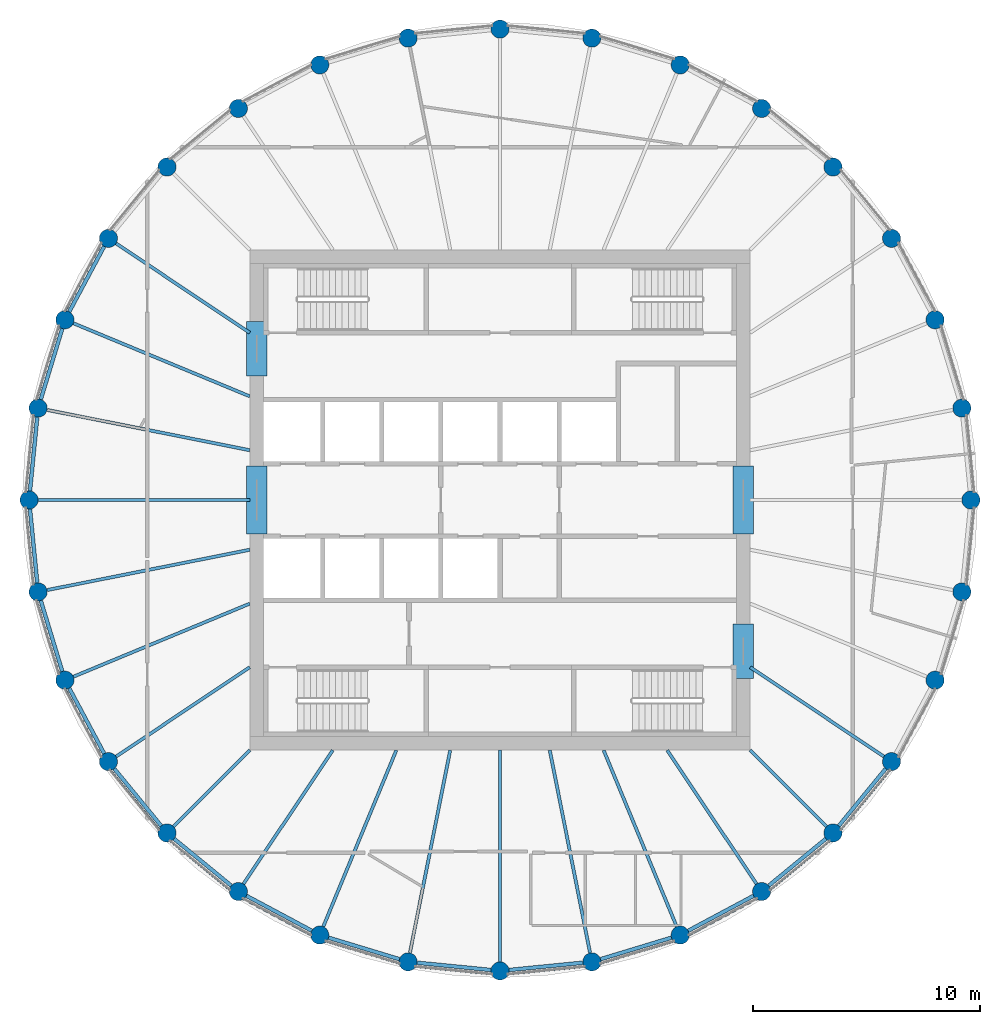
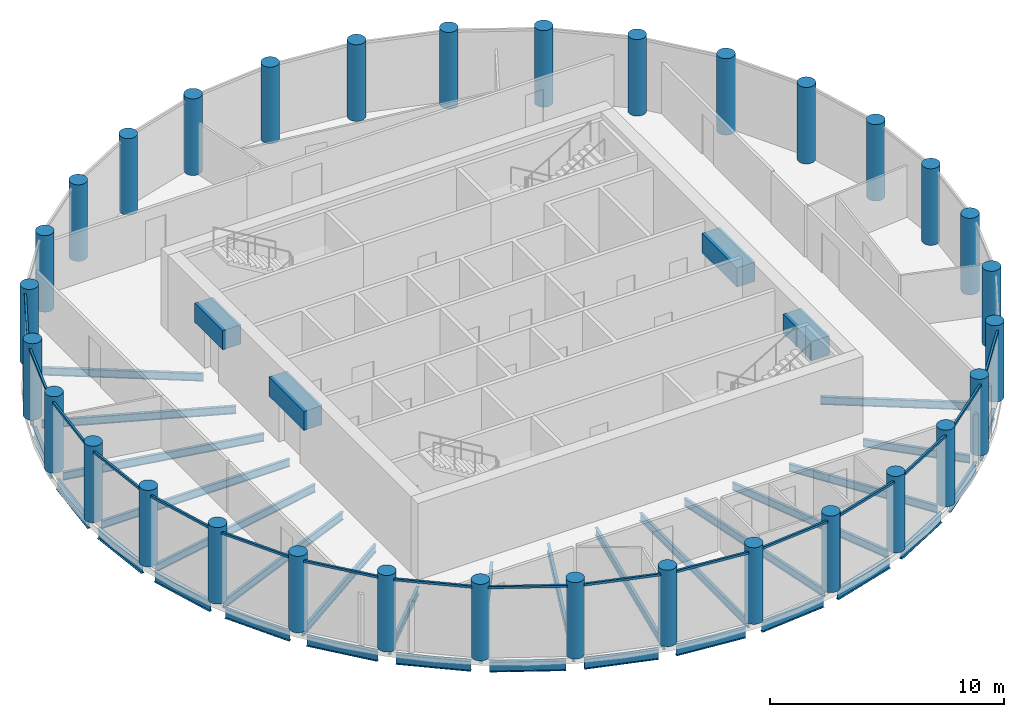
# One storey, part 1 of 7: 37 beams, 32 columns, 16 members, 16 elements without a shape of their own.
"""IFC4 building model written with IfcOpenShell, lengths in metres."""

import ifcopenshell
import ifcopenshell.guid

model = None  # the IFC model being written
_history = None  # IfcOwnerHistory: only IFC2X3 demands one
_inside = {}  # id of a spatial element -> (the spatial element, [elements in it])
_under = {}  # id of a project, library or spatial element -> (it, [spatial elements below it])
_declared = {}  # id of a project -> (the project, [libraries it declares])
_typed = {}  # id of a type object -> (the type object, [elements of that type])
_made_of = {}  # id of a material, layer set ... -> (it, [elements and type objects made of it])


def new_model(schema):
    """Start an empty IFC model of exactly this schema.

    Asked for "IFC4X3", IfcOpenShell would pick the latest addendum, in which some entities
    have other attributes; the version numbers below select the first issue.
    IFC2X3 requires an IfcOwnerHistory on every rooted entity: one is made here for all.
    """
    global model, _history
    if schema == "IFC4X3":
        model = ifcopenshell.file(schema_version=(4, 3, 0, 0))
    else:
        model = ifcopenshell.file(schema=schema)
    _inside.clear()
    _under.clear()
    _declared.clear()
    _typed.clear()
    _made_of.clear()
    _history = None
    if model.schema == "IFC2X3":
        org = make("IfcOrganization", Name="unknown")
        user = make(
            "IfcPersonAndOrganization",
            ThePerson=make("IfcPerson", FamilyName="unknown"),
            TheOrganization=org,
        )
        app = make(
            "IfcApplication",
            ApplicationDeveloper=org,
            Version="unknown",
            ApplicationFullName="unknown",
            ApplicationIdentifier="unknown",
        )
        _history = make(
            "IfcOwnerHistory",
            OwningUser=user,
            OwningApplication=app,
            ChangeAction="ADDED",
            CreationDate=0,
        )
    return model


def make(cls, **values):
    """One entity of the class cls with the attributes given. An attribute that is None is left unset."""
    return model.create_entity(
        cls, **{name: value for name, value in values.items() if value is not None}
    )


def rooted(cls, **values):
    """An entity with a GlobalId (a new one), such as an element, a storey or a relation."""
    return make(cls, GlobalId=ifcopenshell.guid.new(), OwnerHistory=_history, **values)


def si_unit(unit_type, name, prefix=None):
    """IfcSIUnit, for example si_unit("LENGTHUNIT", "METRE", prefix="MILLI")."""
    return make("IfcSIUnit", UnitType=unit_type, Prefix=prefix, Name=name)


def assignment(units):
    """IfcUnitAssignment: the units of a project."""
    return None if units is None else make("IfcUnitAssignment", Units=units)


def point(xyz):
    """IfcCartesianPoint."""
    return None if xyz is None else make("IfcCartesianPoint", Coordinates=xyz)


def direction(xyz):
    """IfcDirection."""
    return None if xyz is None else make("IfcDirection", DirectionRatios=xyz)


def frame(location, z_axis=None, x_axis=None):
    """IfcAxis2Placement3D, a coordinate frame: its origin and axes. An axis left out is left unset."""
    return make(
        "IfcAxis2Placement3D",
        Location=point(location),
        Axis=direction(z_axis),
        RefDirection=direction(x_axis),
    )


def frame_2d(location, x_axis=None):
    """IfcAxis2Placement2D, a coordinate frame in the plane: its origin and x axis."""
    return make(
        "IfcAxis2Placement2D", Location=point(location), RefDirection=direction(x_axis)
    )


def origin():
    """The frame at (0, 0, 0) with its axes left unset."""
    return frame((0.0, 0.0, 0.0))


def origin_2d():
    """The frame at (0, 0) in the plane with its x axis left unset."""
    return frame_2d((0.0, 0.0))


def place(relative_to, where):
    """IfcLocalPlacement: puts the frame where relative to a parent placement (None: the world)."""
    return make(
        "IfcLocalPlacement", PlacementRelTo=relative_to, RelativePlacement=where
    )


def context(
    kind, dimensions, precision=None, world=None, true_north=None, identifier=None
):
    """IfcGeometricRepresentationContext, for example the 3D "Model" context."""
    return make(
        "IfcGeometricRepresentationContext",
        ContextIdentifier=identifier,
        ContextType=kind,
        CoordinateSpaceDimension=dimensions,
        Precision=precision,
        WorldCoordinateSystem=world,
        TrueNorth=true_north,
    )


def subcontext(parent, identifier, kind, view, scale=None):
    """IfcGeometricRepresentationSubContext, for example "Body" below "Model"."""
    return make(
        "IfcGeometricRepresentationSubContext",
        ContextIdentifier=identifier,
        ContextType=kind,
        ParentContext=parent,
        TargetScale=scale,
        TargetView=view,
    )


def project(units=None, contexts=None):
    """IfcProject with its units and contexts."""
    return rooted(
        "IfcProject",
        Name="project",
        RepresentationContexts=contexts,
        UnitsInContext=assignment(units),
    )


def spatial(cls, under=None, at=None, **own):
    """A site, building, storey or space (cls), placed at a placement, below another one or the project."""
    s = rooted(cls, ObjectPlacement=at, **own)
    if under is not None:
        _under.setdefault(under.id(), (under, []))[1].append(s)
    return s


def profile(cls, at=None, kind="AREA", **sizes):
    """A parametric profile (cls). Its sizes go by their IFC names, for example OverallWidth=200.0."""
    return make(cls, ProfileType=kind, Position=at, **sizes)


def rectangle(**sizes):
    """IfcRectangleProfileDef."""
    return profile("IfcRectangleProfileDef", **sizes)


def circle(**sizes):
    """IfcCircleProfileDef."""
    return profile("IfcCircleProfileDef", **sizes)


def i_section(**sizes):
    """IfcIShapeProfileDef."""
    return profile("IfcIShapeProfileDef", **sizes)


def extrude(swept, where, along, depth):
    """IfcExtrudedAreaSolid: the profile swept, set in the frame where, extruded along a direction by depth."""
    return make(
        "IfcExtrudedAreaSolid",
        SweptArea=swept,
        Position=where,
        ExtrudedDirection=direction(along),
        Depth=depth,
    )


def shape(context_of_items, identifier, shape_type, items):
    """IfcShapeRepresentation: the items that make up one representation, for example the "Body"."""
    return make(
        "IfcShapeRepresentation",
        ContextOfItems=context_of_items,
        RepresentationIdentifier=identifier,
        RepresentationType=shape_type,
        Items=items,
    )


def material(Name=None, Category=None):
    """IfcMaterial."""
    return make("IfcMaterial", Name=Name, Category=Category)


def material_profile(
    of_material, cross_section, Name=None, Category=None, Priority=None
):
    """IfcMaterialProfile: a cross section and its material."""
    return make(
        "IfcMaterialProfile",
        Name=Name,
        Material=of_material,
        Profile=cross_section,
        Priority=Priority,
        Category=Category,
    )


def profile_set(profiles, Name=None, composite=None):
    """IfcMaterialProfileSet."""
    return make(
        "IfcMaterialProfileSet",
        Name=Name,
        MaterialProfiles=profiles,
        CompositeProfile=composite,
    )


def made_of(thing, what):
    """Note that an element or type object is made of a material, layer set ...; save() writes the relation."""
    if what is not None:
        _made_of.setdefault(what.id(), (what, []))[1].append(thing)
    return thing


def type_object(cls, material=None, **own):
    """A type object (cls), such as IfcWallType, which elements share."""
    return made_of(rooted(cls, **own), material)


def element(
    cls,
    number,
    at=None,
    inside=None,
    cuts=None,
    type_object=None,
    material=None,
    context=None,
    identifier="Body",
    shape_type=None,
    held_by="IfcProductDefinitionShape",
    body=None,
    shapes=None,
    **own,
):
    """One element of the class cls, such as IfcWall. Its Tag is "e" and its number.

    at: its placement. inside: the storey or other place that contains it. cuts: it is an
    opening in that element (IfcRelVoidsElement). A single representation is given by context,
    identifier, shape_type and body (its items); several are given by shapes. held_by: the class
    of the entity that holds the representations. save() writes the other relations.
    """
    e = rooted(cls, Tag="e%d" % number, ObjectPlacement=at, **own)
    if body is not None:
        shapes = [shape(context, identifier, shape_type, body)]
    if shapes is not None:
        e.Representation = make(held_by, Representations=shapes)
    if inside is not None:
        _inside.setdefault(inside.id(), (inside, []))[1].append(e)
    if cuts is not None:
        rooted(
            "IfcRelVoidsElement", RelatingBuildingElement=cuts, RelatedOpeningElement=e
        )
    if type_object is not None:
        _typed.setdefault(type_object.id(), (type_object, []))[1].append(e)
    return made_of(e, material)


def aggregate(whole, parts):
    """IfcRelAggregates: a whole, such as a stair, and the parts it consists of."""
    return rooted("IfcRelAggregates", RelatingObject=whole, RelatedObjects=parts)


def save(model, path):
    """Write the relations noted so far, then the file.

    IfcRelAggregates (storeys below a building ...), IfcRelContainedInSpatialStructure (elements
    in a storey), IfcRelDefinesByType, IfcRelAssociatesMaterial and IfcRelDeclares: one each for
    every whole, place, type object, material and project.
    """
    for whole, parts in _under.values():
        aggregate(whole, parts)
    for where, things in _inside.values():
        rooted(
            "IfcRelContainedInSpatialStructure",
            RelatedElements=things,
            RelatingStructure=where,
        )
    for kind, things in _typed.values():
        rooted("IfcRelDefinesByType", RelatedObjects=things, RelatingType=kind)
    for what, things in _made_of.values():
        rooted("IfcRelAssociatesMaterial", RelatedObjects=things, RelatingMaterial=what)
    for by, libraries in _declared.values():
        rooted("IfcRelDeclares", RelatingContext=by, RelatedDefinitions=libraries)
    model.write(path)


model = new_model("IFC4")

# Units and contexts
model_context = context("Model", 3, precision=1e-05, world=origin(), true_north=direction((0.0, 1.0)))
body_context = subcontext(model_context, "Body", "Model", "MODEL_VIEW")
ifc_project = project(units=[si_unit("LENGTHUNIT", "METRE"), si_unit("AREAUNIT", "SQUARE_METRE"), si_unit("VOLUMEUNIT", "CUBIC_METRE"), si_unit("PLANEANGLEUNIT", "RADIAN"), si_unit("MASSUNIT", "GRAM", prefix="KILO")], contexts=[model_context])

# Site, building, storey
site_placement = place(None, origin())
site = spatial("IfcSite", under=ifc_project, at=site_placement, CompositionType="ELEMENT")
building_placement = place(site_placement, origin())
building = spatial("IfcBuilding", under=site, at=building_placement, Name="Corvane Civic Tower", CompositionType="ELEMENT")
storey_placement = place(building_placement, frame((0.0, 0.0, 336.5)))
storey = spatial("IfcBuildingStorey", under=building, at=storey_placement, Name="L80", CompositionType="ELEMENT", Elevation=336.5)

# Columns
ifc_material_1 = material(Name="Concrete C60/75", Category="concrete")
ifc_material_profile_1 = material_profile(ifc_material_1, circle(Radius=0.39990234375, at=origin_2d()), Name="COLUMN 800")
ifc_profile_set_1 = profile_set([ifc_material_profile_1], Name="Concrete C60/75")
column_type = type_object("IfcColumnType", Name="RC COLUMN COLUMN 800", PredefinedType="COLUMN", material=ifc_profile_set_1)
for number, where, z_axis, x_axis, name in (
    (1, (0.0, 20.699951171875, 0.0), (0.0, 0.0, 1.0), (1.0, 0.0, 0.0), "COL-L80-F01"),
    (2, (4.038330078125, 20.30224609375, 0.0), (0.0, 0.0, 1.0), (1.0, 0.0, 0.0), "COL-L80-F02"),
    (3, (7.921630859375, 19.124267578125, 0.0), (0.0, 0.0, 1.0), (1.0, 0.0, 0.0), "COL-L80-F03"),
    (4, (11.500244140625, 17.21142578125, 0.0), (0.0, 0.0, 1.0), (1.0, 0.0, 0.0), "COL-L80-F04"),
    (5, (14.63720703125, 14.63720703125, 0.0), (0.0, 0.0, 1.0), (1.0, 0.0, 0.0), "COL-L80-F05"),
    (6, (17.21142578125, 11.500244140625, 0.0), (0.0, 0.0, 1.0), (1.0, 0.0, 0.0), "COL-L80-F06"),
    (7, (19.124267578125, 7.921630859375, 0.0), (0.0, 0.0, 1.0), (1.0, 0.0, 0.0), "COL-L80-F07"),
    (8, (20.30224609375, 4.038330078125, 0.0), (0.0, 0.0, 1.0), (1.0, 0.0, 0.0), "COL-L80-F08"),
    (9, (20.699951171875, 0.0, 0.0), (0.0, 0.0, 1.0), (1.0, 0.0, 0.0), "COL-L80-F09"),
    (10, (20.30224609375, -4.038330078125, 0.0), (0.0, 0.0, 1.0), (1.0, 0.0, 0.0), "COL-L80-F10"),
    (11, (19.124267578125, -7.921630859375, 0.0), (0.0, 0.0, 1.0), (1.0, 0.0, 0.0), "COL-L80-F11"),
    (12, (17.21142578125, -11.500244140625, 0.0), (0.0, 0.0, 1.0), (1.0, 0.0, 0.0), "COL-L80-F12"),
    (13, (14.63720703125, -14.63720703125, 0.0), (0.0, 0.0, 1.0), (1.0, 0.0, 0.0), "COL-L80-F13"),
    (14, (11.500244140625, -17.21142578125, 0.0), (0.0, 0.0, 1.0), (1.0, 0.0, 0.0), "COL-L80-F14"),
    (15, (7.921630859375, -19.124267578125, 0.0), (0.0, 0.0, 1.0), (1.0, 0.0, 0.0), "COL-L80-F15"),
    (16, (4.038330078125, -20.30224609375, 0.0), (0.0, 0.0, 1.0), (1.0, 0.0, 0.0), "COL-L80-F16"),
    (17, (0.0, -20.699951171875, 0.0), (0.0, 0.0, 1.0), (1.0, 0.0, 0.0), "COL-L80-F17"),
    (18, (-4.038330078125, -20.30224609375, 0.0), (0.0, 0.0, 1.0), (1.0, 0.0, 0.0), "COL-L80-F18"),
    (19, (-7.921630859375, -19.124267578125, 0.0), (0.0, 0.0, 1.0), (1.0, 0.0, 0.0), "COL-L80-F19"),
    (20, (-11.500244140625, -17.21142578125, 0.0), (0.0, 0.0, 1.0), (1.0, 0.0, 0.0), "COL-L80-F20"),
    (21, (-14.63720703125, -14.63720703125, 0.0), (0.0, 0.0, 1.0), (1.0, 0.0, 0.0), "COL-L80-F21"),
    (22, (-17.21142578125, -11.500244140625, 0.0), (0.0, 0.0, 1.0), (1.0, 0.0, 0.0), "COL-L80-F22"),
    (23, (-19.124267578125, -7.921630859375, 0.0), (0.0, 0.0, 1.0), (1.0, 0.0, 0.0), "COL-L80-F23"),
    (24, (-20.30224609375, -4.038330078125, 0.0), (0.0, 0.0, 1.0), (1.0, 0.0, 0.0), "COL-L80-F24"),
    (25, (-20.699951171875, 0.0, 0.0), (0.0, 0.0, 1.0), (1.0, 0.0, 0.0), "COL-L80-F25"),
    (26, (-20.30224609375, 4.038330078125, 0.0), (0.0, 0.0, 1.0), (1.0, 0.0, 0.0), "COL-L80-F26"),
    (27, (-19.124267578125, 7.921630859375, 0.0), (0.0, 0.0, 1.0), (1.0, 0.0, 0.0), "COL-L80-F27"),
    (28, (-17.21142578125, 11.500244140625, 0.0), (0.0, 0.0, 1.0), (1.0, 0.0, 0.0), "COL-L80-F28"),
    (29, (-14.63720703125, 14.63720703125, 0.0), (0.0, 0.0, 1.0), (1.0, 0.0, 0.0), "COL-L80-F29"),
    (30, (-11.500244140625, 17.21142578125, 0.0), (0.0, 0.0, 1.0), (1.0, 0.0, 0.0), "COL-L80-F30"),
    (31, (-7.921630859375, 19.124267578125, 0.0), (0.0, 0.0, 1.0), (1.0, 0.0, 0.0), "COL-L80-F31"),
    (32, (-4.038330078125, 20.30224609375, 0.0), (0.0, 0.0, 1.0), (1.0, 0.0, 0.0), "COL-L80-F32"),
):
    element("IfcColumn", number, at=place(storey_placement, frame(where, z_axis=z_axis, x_axis=x_axis)), inside=storey, type_object=column_type, Name=name, PredefinedType="COLUMN", context=body_context, shape_type="SweptSolid", body=[
        extrude(circle(Radius=0.39990234375, at=origin_2d()), origin(), (0.0, 0.0, 1.0), 4.0),
    ])

# Beams
ifc_material_2 = material(Name="Concrete C40/50", Category="concrete")
ifc_material_profile_2 = material_profile(ifc_material_2, rectangle(XDim=0.89990234375, YDim=1.0, at=origin_2d()), Name="COUPLING BEAM 900X1000")
ifc_profile_set_2 = profile_set([ifc_material_profile_2], Name="Concrete C40/50")
beam_type_1 = type_object("IfcBeamType", Name="COUPLING BEAM COUPLING BEAM 900X1000", PredefinedType="BEAM", material=ifc_profile_set_2)
for number, where, z_axis, x_axis, name in (
    (33, (-10.699951171875, -1.5, 2.60009765625), (0.0, 1.0, 0.0), (-1.0, 0.0, 0.0), "BM-L80-cpl-CW-LW"),
    (34, (10.699951171875, -1.5, 2.60009765625), (0.0, 1.0, 0.0), (-1.0, 0.0, 0.0), "BM-L80-cpl-CW-LE"),
):
    element("IfcBeam", number, at=place(storey_placement, frame(where, z_axis=z_axis, x_axis=x_axis)), inside=storey, type_object=beam_type_1, Name=name, PredefinedType="BEAM", context=body_context, shape_type="SweptSolid", body=[
        extrude(rectangle(XDim=0.89990234375, YDim=1.0, at=origin_2d()), origin(), (0.0, 0.0, 1.0), 3.0),
    ])
for number, where, z_axis, x_axis, name in (
    (35, (-10.699951171875, 5.449951171875, 2.60009765625), (0.0, 1.0, 0.0), (-1.0, 0.0, 0.0), "BM-L80-cpl-CW-WN"),
    (36, (10.699951171875, -7.85009765625, 2.60009765625), (0.0, 1.0, 0.0), (-1.0, 0.0, 0.0), "BM-L80-cpl-CW-ES"),
):
    element("IfcBeam", number, at=place(storey_placement, frame(where, z_axis=z_axis, x_axis=x_axis)), inside=storey, type_object=beam_type_1, Name=name, PredefinedType="BEAM", context=body_context, shape_type="SweptSolid", body=[
        extrude(rectangle(XDim=0.89990234375, YDim=1.0, at=origin_2d()), origin(), (0.0, 0.0, 1.0), 2.400146484375),
    ])
ifc_material_3 = material(Name="Steel ASTM A992 Gr 50", Category="steel")
ifc_material_profile_3 = material_profile(ifc_material_3, i_section(OverallWidth=0.165771484375, OverallDepth=0.5283203125, WebThickness=0.009765625, FlangeThickness=0.013671875, at=origin_2d()), Name="W21X50")
ifc_profile_set_3 = profile_set([ifc_material_profile_3], Name="Steel ASTM A992 Gr 50")
beam_type_2 = type_object("IfcBeamType", Name="EDGE BEAM W21X50", PredefinedType="BEAM", material=ifc_profile_set_3)
for number, where, z_axis, x_axis, name in (
    (37, (16.957763671875, -11.8095703125, -0.564208984375), (-0.634424551454, -0.772984791903, 0.0), (0.772984791903, -0.634424551454, 0.0), "BM-L80-E12"),
    (38, (14.327880859375, -14.890869140625, -0.564208984375), (-0.772984791903, -0.634424551454, 0.0), (0.634424551454, -0.772984791903, 0.0), "BM-L80-E13"),
    (39, (11.1474609375, -17.39990234375, -0.564208984375), (-0.881894065907, -0.471447618, 0.0), (0.471447618, -0.881894065907, 0.0), "BM-L80-E14"),
    (40, (7.538818359375, -19.240478515625, -0.564208984375), (-0.956955679349, -0.290234091317, 0.0), (0.290234091317, -0.956955679349, 0.0), "BM-L80-E15"),
):
    element("IfcBeam", number, at=place(storey_placement, frame(where, z_axis=z_axis, x_axis=x_axis)), inside=storey, type_object=beam_type_2, Name=name, PredefinedType="BEAM", context=body_context, shape_type="SweptSolid", body=[
        extrude(i_section(OverallWidth=0.165771484375, OverallDepth=0.5283203125, WebThickness=0.009765625, FlangeThickness=0.013671875, at=origin_2d()), origin(), (0.0, 0.0, 1.0), 3.2578125),
    ])
for number, where, z_axis, x_axis, name in (
    (41, (3.640380859375, -20.341552734375, -0.564208984375), (-0.995192503142, -0.097938152369, 0.0), (0.097938152369, -0.995192503142, 0.0), "BM-L80-E16"),
    (42, (-0.39794921875, -20.66064453125, -0.564208984375), (-0.995192503142, 0.097938152369, 0.0), (-0.097938152369, -0.995192503142, 0.0), "BM-L80-E17"),
):
    element("IfcBeam", number, at=place(storey_placement, frame(where, z_axis=z_axis, x_axis=x_axis)), inside=storey, type_object=beam_type_2, Name=name, PredefinedType="BEAM", context=body_context, shape_type="SweptSolid", body=[
        extrude(i_section(OverallWidth=0.165771484375, OverallDepth=0.5283203125, WebThickness=0.009765625, FlangeThickness=0.013671875, at=origin_2d()), origin(), (0.0, 0.0, 1.0), 3.258056640625),
    ])
for number, where, z_axis, x_axis, name in (
    (43, (-4.421142578125, -20.18603515625, -0.564208984375), (-0.956955679349, 0.290234091317, 0.0), (-0.290234091317, -0.956955679349, 0.0), "BM-L80-E18"),
    (44, (-8.2744140625, -18.935791015625, -0.564208984375), (-0.881894065907, 0.471447618, 0.0), (-0.471447618, -0.881894065907, 0.0), "BM-L80-E19"),
    (45, (-11.8095703125, -16.957763671875, -0.564208984375), (-0.772984791903, 0.634424551454, 0.0), (-0.634424551454, -0.772984791903, 0.0), "BM-L80-E20"),
    (46, (-14.890869140625, -14.327880859375, -0.564208984375), (-0.634424551454, 0.772984791903, 0.0), (-0.772984791903, -0.634424551454, 0.0), "BM-L80-E21"),
    (47, (-17.39990234375, -11.1474609375, -0.564208984375), (-0.471447618, 0.881894065907, 0.0), (-0.881894065907, -0.471447618, 0.0), "BM-L80-E22"),
    (48, (-19.240478515625, -7.538818359375, -0.564208984375), (-0.290234091317, 0.956955679349, 0.0), (-0.956955679349, -0.290234091317, 0.0), "BM-L80-E23"),
):
    element("IfcBeam", number, at=place(storey_placement, frame(where, z_axis=z_axis, x_axis=x_axis)), inside=storey, type_object=beam_type_2, Name=name, PredefinedType="BEAM", context=body_context, shape_type="SweptSolid", body=[
        extrude(i_section(OverallWidth=0.165771484375, OverallDepth=0.5283203125, WebThickness=0.009765625, FlangeThickness=0.013671875, at=origin_2d()), origin(), (0.0, 0.0, 1.0), 3.2578125),
    ])
for number, where, z_axis, x_axis, name in (
    (49, (-20.341552734375, -3.640380859375, -0.564208984375), (-0.097938152369, 0.995192503142, 0.0), (-0.995192503142, -0.097938152369, 0.0), "BM-L80-E24"),
    (50, (-20.66064453125, 0.39794921875, -0.564208984375), (0.097938152369, 0.995192503142, 0.0), (-0.995192503142, 0.097938152369, 0.0), "BM-L80-E25"),
):
    element("IfcBeam", number, at=place(storey_placement, frame(where, z_axis=z_axis, x_axis=x_axis)), inside=storey, type_object=beam_type_2, Name=name, PredefinedType="BEAM", context=body_context, shape_type="SweptSolid", body=[
        extrude(i_section(OverallWidth=0.165771484375, OverallDepth=0.5283203125, WebThickness=0.009765625, FlangeThickness=0.013671875, at=origin_2d()), origin(), (0.0, 0.0, 1.0), 3.258056640625),
    ])
for number, where, z_axis, x_axis, name in (
    (51, (-20.18603515625, 4.421142578125, -0.564208984375), (0.290234091317, 0.956955679349, 0.0), (-0.956955679349, 0.290234091317, 0.0), "BM-L80-E26"),
    (52, (-18.935791015625, 8.2744140625, -0.564208984375), (0.471447618, 0.881894065907, 0.0), (-0.881894065907, 0.471447618, 0.0), "BM-L80-E27"),
):
    element("IfcBeam", number, at=place(storey_placement, frame(where, z_axis=z_axis, x_axis=x_axis)), inside=storey, type_object=beam_type_2, Name=name, PredefinedType="BEAM", context=body_context, shape_type="SweptSolid", body=[
        extrude(i_section(OverallWidth=0.165771484375, OverallDepth=0.5283203125, WebThickness=0.009765625, FlangeThickness=0.013671875, at=origin_2d()), origin(), (0.0, 0.0, 1.0), 3.2578125),
    ])
ifc_material_4 = material(Name="Steel ASTM A992 Gr 50", Category="steel")
ifc_material_profile_4 = material_profile(ifc_material_4, i_section(OverallWidth=0.140380859375, OverallDepth=0.40380859375, WebThickness=0.007080078125, FlangeThickness=0.01123046875, at=origin_2d()), Name="W16X31")
ifc_profile_set_4 = profile_set([ifc_material_profile_4], Name="Steel ASTM A992 Gr 50")
beam_type_3 = type_object("IfcBeamType", Name="FLOOR GIRDER W16X31", PredefinedType="BEAM", material=ifc_profile_set_4)
beam_1_placement = place(storey_placement, frame((11.0, -7.349853515625, -0.501953125), z_axis=(0.831465490699, -0.555576401385, 0.0), x_axis=(0.555576401385, 0.831465490699, 0.0)))
element("IfcBeam", 53, at=beam_1_placement, inside=storey, type_object=beam_type_3, Name="BM-L80-G12", PredefinedType="BEAM", context=body_context, shape_type="SweptSolid", body=[
    extrude(i_section(OverallWidth=0.140380859375, OverallDepth=0.40380859375, WebThickness=0.007080078125, FlangeThickness=0.01123046875, at=origin_2d()), origin(), (0.0, 0.0, 1.0), 7.070556640625),
])
beam_2_placement = place(storey_placement, frame((11.0, -11.0, -0.501953125), z_axis=(0.707106781187, -0.707106781187, 0.0), x_axis=(0.707106781187, 0.707106781187, 0.0)))
element("IfcBeam", 54, at=beam_2_placement, inside=storey, type_object=beam_type_3, Name="BM-L80-G13", PredefinedType="BEAM", context=body_context, shape_type="SweptSolid", body=[
    extrude(i_section(OverallWidth=0.140380859375, OverallDepth=0.40380859375, WebThickness=0.007080078125, FlangeThickness=0.01123046875, at=origin_2d()), origin(), (0.0, 0.0, 1.0), 4.74365234375),
])
beam_3_placement = place(storey_placement, frame((7.349853515625, -11.0, -0.501953125), z_axis=(0.555576401385, -0.831465490699, 0.0), x_axis=(0.831465490699, 0.555576401385, 0.0)))
element("IfcBeam", 55, at=beam_3_placement, inside=storey, type_object=beam_type_3, Name="BM-L80-G14", PredefinedType="BEAM", context=body_context, shape_type="SweptSolid", body=[
    extrude(i_section(OverallWidth=0.140380859375, OverallDepth=0.40380859375, WebThickness=0.007080078125, FlangeThickness=0.01123046875, at=origin_2d()), origin(), (0.0, 0.0, 1.0), 7.070556640625),
])
beam_4_placement = place(storey_placement, frame((4.556396484375, -11.0, -0.501953125), z_axis=(0.382691739894, -0.923876091377, 0.0), x_axis=(0.923876091377, 0.382691739894, 0.0)))
element("IfcBeam", 56, at=beam_4_placement, inside=storey, type_object=beam_type_3, Name="BM-L80-G15", PredefinedType="BEAM", context=body_context, shape_type="SweptSolid", body=[
    extrude(i_section(OverallWidth=0.140380859375, OverallDepth=0.40380859375, WebThickness=0.007080078125, FlangeThickness=0.01123046875, at=origin_2d()), origin(), (0.0, 0.0, 1.0), 8.3935546875),
])
beam_5_placement = place(storey_placement, frame((2.18798828125, -11.0, -0.501953125), z_axis=(0.195108241061, -0.980781715913, 0.0), x_axis=(0.980781715913, 0.195108241061, 0.0)))
element("IfcBeam", 57, at=beam_5_placement, inside=storey, type_object=beam_type_3, Name="BM-L80-G16", PredefinedType="BEAM", context=body_context, shape_type="SweptSolid", body=[
    extrude(i_section(OverallWidth=0.140380859375, OverallDepth=0.40380859375, WebThickness=0.007080078125, FlangeThickness=0.01123046875, at=origin_2d()), origin(), (0.0, 0.0, 1.0), 9.08447265625),
])
beam_6_placement = place(storey_placement, frame((0.0, -11.0, -0.501953125), z_axis=(0.0, -1.0, 0.0), x_axis=(1.0, 0.0, 0.0)))
element("IfcBeam", 58, at=beam_6_placement, inside=storey, type_object=beam_type_3, Name="BM-L80-G17", PredefinedType="BEAM", context=body_context, shape_type="SweptSolid", body=[
    extrude(i_section(OverallWidth=0.140380859375, OverallDepth=0.40380859375, WebThickness=0.007080078125, FlangeThickness=0.01123046875, at=origin_2d()), origin(), (0.0, 0.0, 1.0), 9.300048828125),
])
beam_7_placement = place(storey_placement, frame((-2.18798828125, -11.0, -0.501953125), z_axis=(-0.195108241061, -0.980781715913, 0.0), x_axis=(0.980781715913, -0.195108241061, 0.0)))
element("IfcBeam", 59, at=beam_7_placement, inside=storey, type_object=beam_type_3, Name="BM-L80-G18", PredefinedType="BEAM", context=body_context, shape_type="SweptSolid", body=[
    extrude(i_section(OverallWidth=0.140380859375, OverallDepth=0.40380859375, WebThickness=0.007080078125, FlangeThickness=0.01123046875, at=origin_2d()), origin(), (0.0, 0.0, 1.0), 9.08447265625),
])
beam_8_placement = place(storey_placement, frame((-4.556396484375, -11.0, -0.501953125), z_axis=(-0.382691739894, -0.923876091377, 0.0), x_axis=(0.923876091377, -0.382691739894, 0.0)))
element("IfcBeam", 60, at=beam_8_placement, inside=storey, type_object=beam_type_3, Name="BM-L80-G19", PredefinedType="BEAM", context=body_context, shape_type="SweptSolid", body=[
    extrude(i_section(OverallWidth=0.140380859375, OverallDepth=0.40380859375, WebThickness=0.007080078125, FlangeThickness=0.01123046875, at=origin_2d()), origin(), (0.0, 0.0, 1.0), 8.3935546875),
])
beam_9_placement = place(storey_placement, frame((-7.349853515625, -11.0, -0.501953125), z_axis=(-0.555576401385, -0.831465490699, 0.0), x_axis=(0.831465490699, -0.555576401385, 0.0)))
element("IfcBeam", 61, at=beam_9_placement, inside=storey, type_object=beam_type_3, Name="BM-L80-G20", PredefinedType="BEAM", context=body_context, shape_type="SweptSolid", body=[
    extrude(i_section(OverallWidth=0.140380859375, OverallDepth=0.40380859375, WebThickness=0.007080078125, FlangeThickness=0.01123046875, at=origin_2d()), origin(), (0.0, 0.0, 1.0), 7.070556640625),
])
beam_10_placement = place(storey_placement, frame((-11.0, -11.0, -0.501953125), z_axis=(-0.707106781187, -0.707106781187, 0.0), x_axis=(0.707106781187, -0.707106781187, 0.0)))
element("IfcBeam", 62, at=beam_10_placement, inside=storey, type_object=beam_type_3, Name="BM-L80-G21", PredefinedType="BEAM", context=body_context, shape_type="SweptSolid", body=[
    extrude(i_section(OverallWidth=0.140380859375, OverallDepth=0.40380859375, WebThickness=0.007080078125, FlangeThickness=0.01123046875, at=origin_2d()), origin(), (0.0, 0.0, 1.0), 4.74365234375),
])
beam_11_placement = place(storey_placement, frame((-11.0, -7.349853515625, -0.501953125), z_axis=(-0.831465490699, -0.555576401385, 0.0), x_axis=(0.555576401385, -0.831465490699, 0.0)))
element("IfcBeam", 63, at=beam_11_placement, inside=storey, type_object=beam_type_3, Name="BM-L80-G22", PredefinedType="BEAM", context=body_context, shape_type="SweptSolid", body=[
    extrude(i_section(OverallWidth=0.140380859375, OverallDepth=0.40380859375, WebThickness=0.007080078125, FlangeThickness=0.01123046875, at=origin_2d()), origin(), (0.0, 0.0, 1.0), 7.070556640625),
])
beam_12_placement = place(storey_placement, frame((-11.0, -4.556396484375, -0.501953125), z_axis=(-0.923876091377, -0.382691739894, 0.0), x_axis=(0.382691739894, -0.923876091377, 0.0)))
element("IfcBeam", 64, at=beam_12_placement, inside=storey, type_object=beam_type_3, Name="BM-L80-G23", PredefinedType="BEAM", context=body_context, shape_type="SweptSolid", body=[
    extrude(i_section(OverallWidth=0.140380859375, OverallDepth=0.40380859375, WebThickness=0.007080078125, FlangeThickness=0.01123046875, at=origin_2d()), origin(), (0.0, 0.0, 1.0), 8.3935546875),
])
beam_13_placement = place(storey_placement, frame((-11.0, -2.18798828125, -0.501953125), z_axis=(-0.980781715913, -0.195108241061, 0.0), x_axis=(0.195108241061, -0.980781715913, 0.0)))
element("IfcBeam", 65, at=beam_13_placement, inside=storey, type_object=beam_type_3, Name="BM-L80-G24", PredefinedType="BEAM", context=body_context, shape_type="SweptSolid", body=[
    extrude(i_section(OverallWidth=0.140380859375, OverallDepth=0.40380859375, WebThickness=0.007080078125, FlangeThickness=0.01123046875, at=origin_2d()), origin(), (0.0, 0.0, 1.0), 9.08447265625),
])
beam_14_placement = place(storey_placement, frame((-11.0, 0.0, -0.501953125), z_axis=(-1.0, 0.0, 0.0), x_axis=(0.0, -1.0, 0.0)))
element("IfcBeam", 66, at=beam_14_placement, inside=storey, type_object=beam_type_3, Name="BM-L80-G25", PredefinedType="BEAM", context=body_context, shape_type="SweptSolid", body=[
    extrude(i_section(OverallWidth=0.140380859375, OverallDepth=0.40380859375, WebThickness=0.007080078125, FlangeThickness=0.01123046875, at=origin_2d()), origin(), (0.0, 0.0, 1.0), 9.300048828125),
])
beam_15_placement = place(storey_placement, frame((-11.0, 2.18798828125, -0.501953125), z_axis=(-0.980781715913, 0.195108241061, 0.0), x_axis=(-0.195108241061, -0.980781715913, 0.0)))
element("IfcBeam", 67, at=beam_15_placement, inside=storey, type_object=beam_type_3, Name="BM-L80-G26", PredefinedType="BEAM", context=body_context, shape_type="SweptSolid", body=[
    extrude(i_section(OverallWidth=0.140380859375, OverallDepth=0.40380859375, WebThickness=0.007080078125, FlangeThickness=0.01123046875, at=origin_2d()), origin(), (0.0, 0.0, 1.0), 9.08447265625),
])
beam_16_placement = place(storey_placement, frame((-11.0, 4.556396484375, -0.501953125), z_axis=(-0.923876091377, 0.382691739894, 0.0), x_axis=(-0.382691739894, -0.923876091377, 0.0)))
element("IfcBeam", 68, at=beam_16_placement, inside=storey, type_object=beam_type_3, Name="BM-L80-G27", PredefinedType="BEAM", context=body_context, shape_type="SweptSolid", body=[
    extrude(i_section(OverallWidth=0.140380859375, OverallDepth=0.40380859375, WebThickness=0.007080078125, FlangeThickness=0.01123046875, at=origin_2d()), origin(), (0.0, 0.0, 1.0), 8.3935546875),
])
beam_17_placement = place(storey_placement, frame((-11.0, 7.349853515625, -0.501953125), z_axis=(-0.831465490699, 0.555576401385, 0.0), x_axis=(-0.555576401385, -0.831465490699, 0.0)))
element("IfcBeam", 69, at=beam_17_placement, inside=storey, type_object=beam_type_3, Name="BM-L80-G28", PredefinedType="BEAM", context=body_context, shape_type="SweptSolid", body=[
    extrude(i_section(OverallWidth=0.140380859375, OverallDepth=0.40380859375, WebThickness=0.007080078125, FlangeThickness=0.01123046875, at=origin_2d()), origin(), (0.0, 0.0, 1.0), 7.070556640625),
])

# Curtain wall, member
ifc_material_5 = material(Name="Anodised aluminium bronze", Category="aluminium")
curtain_wall_type = type_object("IfcCurtainWallType", Name="TOWER CW-T3 STICK CURTAIN WALL", PredefinedType="NOTDEFINED", material=ifc_material_5)
curtain_wall_1_placement = place(storey_placement, origin())
curtain_wall_1 = element("IfcCurtainWall", 70, at=curtain_wall_1_placement, inside=storey, type_object=curtain_wall_type, Name="Curtain wall CW-T3 L80 bay 12", PredefinedType="NOTDEFINED")
ifc_material_6 = material(Name="Anodised aluminium bronze", Category="aluminium")
ifc_material_profile_5 = material_profile(ifc_material_6, rectangle(XDim=0.10009765625, YDim=0.1201171875, at=origin_2d()), Name="TOWER CW-T3 TRANSOM 100x120")
ifc_profile_set_5 = profile_set([ifc_material_profile_5], Name="Anodised aluminium bronze")
member_type = type_object("IfcMemberType", Name="TOWER CW-T3 TRANSOM 100x120", PredefinedType="USERDEFINED", material=ifc_profile_set_5)
member_1_placement = place(storey_placement, frame((17.14208984375, -11.8671875, 3.68994140625), z_axis=(-0.634393571736, -0.773010217358, 0.0), x_axis=(0.773010217358, -0.634393571736, 0.0)))
member_1 = element("IfcMember", 71, at=member_1_placement, type_object=member_type, Name="Transom CW-T3 L80 12.1", ObjectType="TRANSOM", PredefinedType="USERDEFINED", context=body_context, shape_type="SweptSolid", body=[
    extrude(rectangle(XDim=0.10009765625, YDim=0.1201171875, at=origin_2d()), origin(), (0.0, 0.0, 1.0), 3.40283203125),
])
aggregate(curtain_wall_1, [member_1])

curtain_wall_2_placement = place(storey_placement, origin())
curtain_wall_2 = element("IfcCurtainWall", 72, at=curtain_wall_2_placement, inside=storey, type_object=curtain_wall_type, Name="Curtain wall CW-T3 L80 bay 13", PredefinedType="NOTDEFINED")
member_2_placement = place(storey_placement, frame((14.49755859375, -14.9833984375, 3.68994140625), z_axis=(-0.773010217358, -0.634393571736, 0.0), x_axis=(0.634393571736, -0.773010217358, 0.0)))
member_2 = element("IfcMember", 73, at=member_2_placement, type_object=member_type, Name="Transom CW-T3 L80 13.1", ObjectType="TRANSOM", PredefinedType="USERDEFINED", context=body_context, shape_type="SweptSolid", body=[
    extrude(rectangle(XDim=0.10009765625, YDim=0.1201171875, at=origin_2d()), origin(), (0.0, 0.0, 1.0), 3.40283203125),
])
aggregate(curtain_wall_2, [member_2])

curtain_wall_3_placement = place(storey_placement, origin())
curtain_wall_3 = element("IfcCurtainWall", 74, at=curtain_wall_3_placement, inside=storey, type_object=curtain_wall_type, Name="Curtain wall CW-T3 L80 bay 14", PredefinedType="NOTDEFINED")
member_3_placement = place(storey_placement, frame((11.295654296875, -17.52392578125, 3.68994140625), z_axis=(-0.881941440444, -0.471358988063, 0.0), x_axis=(0.471358988063, -0.881941440444, 0.0)))
member_3 = element("IfcMember", 75, at=member_3_placement, type_object=member_type, Name="Transom CW-T3 L80 14.1", ObjectType="TRANSOM", PredefinedType="USERDEFINED", context=body_context, shape_type="SweptSolid", body=[
    extrude(rectangle(XDim=0.10009765625, YDim=0.1201171875, at=origin_2d()), origin(), (0.0, 0.0, 1.0), 3.40234375),
])
aggregate(curtain_wall_3, [member_3])

curtain_wall_4_placement = place(storey_placement, origin())
curtain_wall_4 = element("IfcCurtainWall", 76, at=curtain_wall_4_placement, inside=storey, type_object=curtain_wall_type, Name="Curtain wall CW-T3 L80 bay 15", PredefinedType="NOTDEFINED")
member_4_placement = place(storey_placement, frame((7.66015625, -19.390869140625, 3.68994140625), z_axis=(-0.956961022204, -0.290216474345, 0.0), x_axis=(0.290216474345, -0.956961022204, 0.0)))
member_4 = element("IfcMember", 77, at=member_4_placement, type_object=member_type, Name="Transom CW-T3 L80 15.1", ObjectType="TRANSOM", PredefinedType="USERDEFINED", context=body_context, shape_type="SweptSolid", body=[
    extrude(rectangle(XDim=0.10009765625, YDim=0.1201171875, at=origin_2d()), origin(), (0.0, 0.0, 1.0), 3.40283203125),
])
aggregate(curtain_wall_4, [member_4])

curtain_wall_5_placement = place(storey_placement, origin())
curtain_wall_5 = element("IfcCurtainWall", 78, at=curtain_wall_5_placement, inside=storey, type_object=curtain_wall_type, Name="Curtain wall CW-T3 L80 bay 16", PredefinedType="NOTDEFINED")
member_5_placement = place(storey_placement, frame((3.729736328125, -20.5126953125, 3.68994140625), z_axis=(-0.995191564676, -0.097947688066, 0.0), x_axis=(0.097947688066, -0.995191564676, 0.0)))
member_5 = element("IfcMember", 79, at=member_5_placement, type_object=member_type, Name="Transom CW-T3 L80 16.1", ObjectType="TRANSOM", PredefinedType="USERDEFINED", context=body_context, shape_type="SweptSolid", body=[
    extrude(rectangle(XDim=0.10009765625, YDim=0.1201171875, at=origin_2d()), origin(), (0.0, 0.0, 1.0), 3.40234375),
])
aggregate(curtain_wall_5, [member_5])

curtain_wall_6_placement = place(storey_placement, origin())
curtain_wall_6 = element("IfcCurtainWall", 80, at=curtain_wall_6_placement, inside=storey, type_object=curtain_wall_type, Name="Curtain wall CW-T3 L80 bay 17", PredefinedType="NOTDEFINED")
member_6_placement = place(storey_placement, frame((-0.34375, -20.845947265625, 3.68994140625), z_axis=(-0.995191564676, 0.097947688066, 0.0), x_axis=(-0.097947688066, -0.995191564676, 0.0)))
member_6 = element("IfcMember", 81, at=member_6_placement, type_object=member_type, Name="Transom CW-T3 L80 17.1", ObjectType="TRANSOM", PredefinedType="USERDEFINED", context=body_context, shape_type="SweptSolid", body=[
    extrude(rectangle(XDim=0.10009765625, YDim=0.1201171875, at=origin_2d()), origin(), (0.0, 0.0, 1.0), 3.40234375),
])
aggregate(curtain_wall_6, [member_6])

curtain_wall_7_placement = place(storey_placement, origin())
curtain_wall_7 = element("IfcCurtainWall", 82, at=curtain_wall_7_placement, inside=storey, type_object=curtain_wall_type, Name="Curtain wall CW-T3 L80 bay 18", PredefinedType="NOTDEFINED")
member_7_placement = place(storey_placement, frame((-4.40380859375, -20.37841796875, 3.68994140625), z_axis=(-0.956961022204, 0.290216474345, 0.0), x_axis=(-0.290216474345, -0.956961022204, 0.0)))
member_7 = element("IfcMember", 83, at=member_7_placement, type_object=member_type, Name="Transom CW-T3 L80 18.1", ObjectType="TRANSOM", PredefinedType="USERDEFINED", context=body_context, shape_type="SweptSolid", body=[
    extrude(rectangle(XDim=0.10009765625, YDim=0.1201171875, at=origin_2d()), origin(), (0.0, 0.0, 1.0), 3.40283203125),
])
aggregate(curtain_wall_7, [member_7])

curtain_wall_8_placement = place(storey_placement, origin())
curtain_wall_8 = element("IfcCurtainWall", 84, at=curtain_wall_8_placement, inside=storey, type_object=curtain_wall_type, Name="Curtain wall CW-T3 L80 bay 19", PredefinedType="NOTDEFINED")
member_8_placement = place(storey_placement, frame((-8.294921875, -19.127685546875, 3.68994140625), z_axis=(-0.881941440444, 0.471358988063, 0.0), x_axis=(-0.471358988063, -0.881941440444, 0.0)))
member_8 = element("IfcMember", 85, at=member_8_placement, type_object=member_type, Name="Transom CW-T3 L80 19.1", ObjectType="TRANSOM", PredefinedType="USERDEFINED", context=body_context, shape_type="SweptSolid", body=[
    extrude(rectangle(XDim=0.10009765625, YDim=0.1201171875, at=origin_2d()), origin(), (0.0, 0.0, 1.0), 3.40234375),
])
aggregate(curtain_wall_8, [member_8])

curtain_wall_9_placement = place(storey_placement, origin())
curtain_wall_9 = element("IfcCurtainWall", 86, at=curtain_wall_9_placement, inside=storey, type_object=curtain_wall_type, Name="Curtain wall CW-T3 L80 bay 20", PredefinedType="NOTDEFINED")
member_9_placement = place(storey_placement, frame((-11.8671875, -17.14208984375, 3.68994140625), z_axis=(-0.773010217358, 0.634393571736, 0.0), x_axis=(-0.634393571736, -0.773010217358, 0.0)))
member_9 = element("IfcMember", 87, at=member_9_placement, type_object=member_type, Name="Transom CW-T3 L80 20.1", ObjectType="TRANSOM", PredefinedType="USERDEFINED", context=body_context, shape_type="SweptSolid", body=[
    extrude(rectangle(XDim=0.10009765625, YDim=0.1201171875, at=origin_2d()), origin(), (0.0, 0.0, 1.0), 3.40283203125),
])
aggregate(curtain_wall_9, [member_9])

curtain_wall_10_placement = place(storey_placement, origin())
curtain_wall_10 = element("IfcCurtainWall", 88, at=curtain_wall_10_placement, inside=storey, type_object=curtain_wall_type, Name="Curtain wall CW-T3 L80 bay 21", PredefinedType="NOTDEFINED")
member_10_placement = place(storey_placement, frame((-14.9833984375, -14.49755859375, 3.68994140625), z_axis=(-0.634393571736, 0.773010217358, 0.0), x_axis=(-0.773010217358, -0.634393571736, 0.0)))
member_10 = element("IfcMember", 89, at=member_10_placement, type_object=member_type, Name="Transom CW-T3 L80 21.1", ObjectType="TRANSOM", PredefinedType="USERDEFINED", context=body_context, shape_type="SweptSolid", body=[
    extrude(rectangle(XDim=0.10009765625, YDim=0.1201171875, at=origin_2d()), origin(), (0.0, 0.0, 1.0), 3.40283203125),
])
aggregate(curtain_wall_10, [member_10])

curtain_wall_11_placement = place(storey_placement, origin())
curtain_wall_11 = element("IfcCurtainWall", 90, at=curtain_wall_11_placement, inside=storey, type_object=curtain_wall_type, Name="Curtain wall CW-T3 L80 bay 22", PredefinedType="NOTDEFINED")
member_11_placement = place(storey_placement, frame((-17.52392578125, -11.295654296875, 3.68994140625), z_axis=(-0.471358988063, 0.881941440444, 0.0), x_axis=(-0.881941440444, -0.471358988063, 0.0)))
member_11 = element("IfcMember", 91, at=member_11_placement, type_object=member_type, Name="Transom CW-T3 L80 22.1", ObjectType="TRANSOM", PredefinedType="USERDEFINED", context=body_context, shape_type="SweptSolid", body=[
    extrude(rectangle(XDim=0.10009765625, YDim=0.1201171875, at=origin_2d()), origin(), (0.0, 0.0, 1.0), 3.40234375),
])
aggregate(curtain_wall_11, [member_11])

curtain_wall_12_placement = place(storey_placement, origin())
curtain_wall_12 = element("IfcCurtainWall", 92, at=curtain_wall_12_placement, inside=storey, type_object=curtain_wall_type, Name="Curtain wall CW-T3 L80 bay 23", PredefinedType="NOTDEFINED")
member_12_placement = place(storey_placement, frame((-19.390869140625, -7.66015625, 3.68994140625), z_axis=(-0.290216474345, 0.956961022204, 0.0), x_axis=(-0.956961022204, -0.290216474345, 0.0)))
member_12 = element("IfcMember", 93, at=member_12_placement, type_object=member_type, Name="Transom CW-T3 L80 23.1", ObjectType="TRANSOM", PredefinedType="USERDEFINED", context=body_context, shape_type="SweptSolid", body=[
    extrude(rectangle(XDim=0.10009765625, YDim=0.1201171875, at=origin_2d()), origin(), (0.0, 0.0, 1.0), 3.40283203125),
])
aggregate(curtain_wall_12, [member_12])

curtain_wall_13_placement = place(storey_placement, origin())
curtain_wall_13 = element("IfcCurtainWall", 94, at=curtain_wall_13_placement, inside=storey, type_object=curtain_wall_type, Name="Curtain wall CW-T3 L80 bay 24", PredefinedType="NOTDEFINED")
member_13_placement = place(storey_placement, frame((-20.5126953125, -3.729736328125, 3.68994140625), z_axis=(-0.097947688066, 0.995191564676, 0.0), x_axis=(-0.995191564676, -0.097947688066, 0.0)))
member_13 = element("IfcMember", 95, at=member_13_placement, type_object=member_type, Name="Transom CW-T3 L80 24.1", ObjectType="TRANSOM", PredefinedType="USERDEFINED", context=body_context, shape_type="SweptSolid", body=[
    extrude(rectangle(XDim=0.10009765625, YDim=0.1201171875, at=origin_2d()), origin(), (0.0, 0.0, 1.0), 3.40234375),
])
aggregate(curtain_wall_13, [member_13])

curtain_wall_14_placement = place(storey_placement, origin())
curtain_wall_14 = element("IfcCurtainWall", 96, at=curtain_wall_14_placement, inside=storey, type_object=curtain_wall_type, Name="Curtain wall CW-T3 L80 bay 25", PredefinedType="NOTDEFINED")
member_14_placement = place(storey_placement, frame((-20.845947265625, 0.34375, 3.68994140625), z_axis=(0.097947688066, 0.995191564676, 0.0), x_axis=(-0.995191564676, 0.097947688066, 0.0)))
member_14 = element("IfcMember", 97, at=member_14_placement, type_object=member_type, Name="Transom CW-T3 L80 25.1", ObjectType="TRANSOM", PredefinedType="USERDEFINED", context=body_context, shape_type="SweptSolid", body=[
    extrude(rectangle(XDim=0.10009765625, YDim=0.1201171875, at=origin_2d()), origin(), (0.0, 0.0, 1.0), 3.40234375),
])
aggregate(curtain_wall_14, [member_14])

curtain_wall_15_placement = place(storey_placement, origin())
curtain_wall_15 = element("IfcCurtainWall", 98, at=curtain_wall_15_placement, inside=storey, type_object=curtain_wall_type, Name="Curtain wall CW-T3 L80 bay 26", PredefinedType="NOTDEFINED")
member_15_placement = place(storey_placement, frame((-20.37841796875, 4.40380859375, 3.68994140625), z_axis=(0.290216474345, 0.956961022204, 0.0), x_axis=(-0.956961022204, 0.290216474345, 0.0)))
member_15 = element("IfcMember", 99, at=member_15_placement, type_object=member_type, Name="Transom CW-T3 L80 26.1", ObjectType="TRANSOM", PredefinedType="USERDEFINED", context=body_context, shape_type="SweptSolid", body=[
    extrude(rectangle(XDim=0.10009765625, YDim=0.1201171875, at=origin_2d()), origin(), (0.0, 0.0, 1.0), 3.40283203125),
])
aggregate(curtain_wall_15, [member_15])

curtain_wall_16_placement = place(storey_placement, origin())
curtain_wall_16 = element("IfcCurtainWall", 100, at=curtain_wall_16_placement, inside=storey, type_object=curtain_wall_type, Name="Curtain wall CW-T3 L80 bay 27", PredefinedType="NOTDEFINED")
member_16_placement = place(storey_placement, frame((-19.127685546875, 8.294921875, 3.68994140625), z_axis=(0.471358988063, 0.881941440444, 0.0), x_axis=(-0.881941440444, 0.471358988063, 0.0)))
member_16 = element("IfcMember", 101, at=member_16_placement, type_object=member_type, Name="Transom CW-T3 L80 27.1", ObjectType="TRANSOM", PredefinedType="USERDEFINED", context=body_context, shape_type="SweptSolid", body=[
    extrude(rectangle(XDim=0.10009765625, YDim=0.1201171875, at=origin_2d()), origin(), (0.0, 0.0, 1.0), 3.40234375),
])
aggregate(curtain_wall_16, [member_16])

save(model, "model.ifc")
